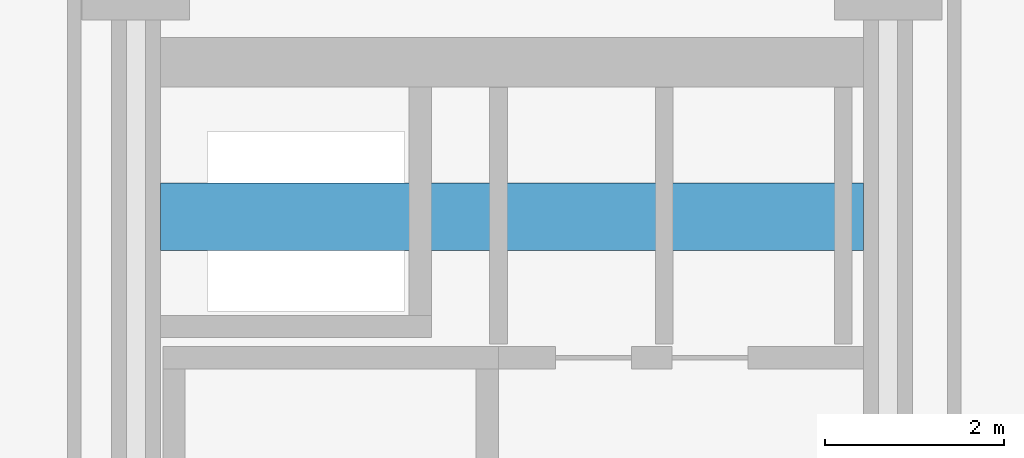
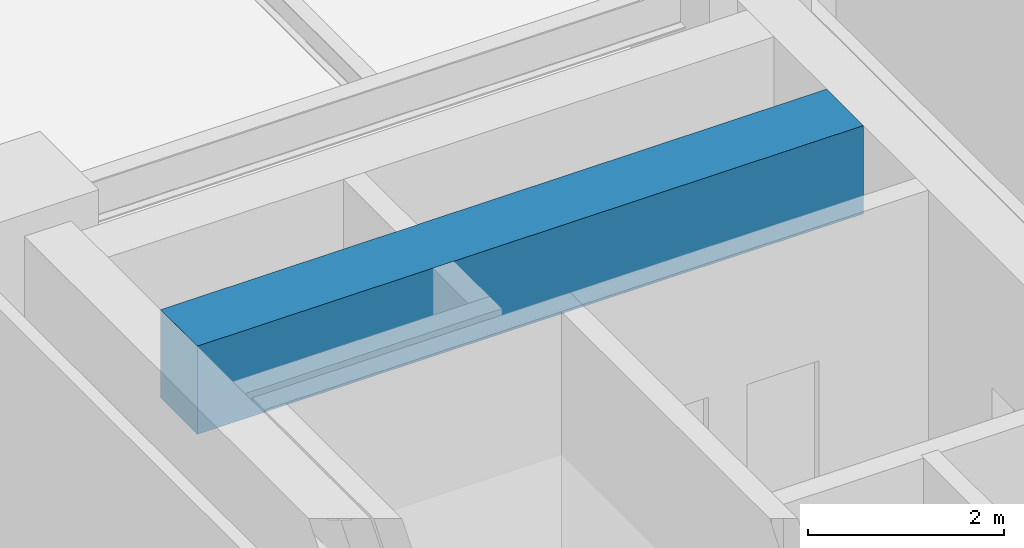
# One storey, part 24 of 39: 1 beam.
"""IFC4 building model written with IfcOpenShell, lengths in metres."""

from ifc_helpers import new_model, si_unit, direction, frame, origin, origin_2d, place, context, subcontext, project, spatial, rectangle, extrude, material, material_profile, profile_set, type_object, element, save


model = new_model("IFC4")

# Units and contexts
model_context = context("Model", 3, precision=1e-05, world=origin(), true_north=direction((0.0, 1.0)))
body_context = subcontext(model_context, "Body", "Model", "MODEL_VIEW")
ifc_project = project(units=[si_unit("LENGTHUNIT", "METRE"), si_unit("AREAUNIT", "SQUARE_METRE"), si_unit("VOLUMEUNIT", "CUBIC_METRE"), si_unit("PLANEANGLEUNIT", "RADIAN"), si_unit("MASSUNIT", "GRAM", prefix="KILO")], contexts=[model_context])

# Site, building, storey
site_placement = place(None, origin())
site = spatial("IfcSite", under=ifc_project, at=site_placement, CompositionType="ELEMENT")
building_placement = place(site_placement, origin())
building = spatial("IfcBuilding", under=site, at=building_placement, Name="Nerrivon Quay Data Exchange", CompositionType="ELEMENT")
storey_placement = place(building_placement, frame((0.0, 0.0, 92.60009765625)))
storey = spatial("IfcBuildingStorey", under=building, at=storey_placement, Name="L21", CompositionType="ELEMENT", Elevation=92.60009765625)

# Beam
ifc_material = material(Name="Concrete S65 (65 MPa)", Category="concrete")
ifc_material_profile = material_profile(ifc_material, rectangle(XDim=0.75, YDim=1.10009765625, at=origin_2d()), Name="RC-CB-750x1100")
ifc_profile_set = profile_set([ifc_material_profile], Name="Concrete S65 (65 MPa)")
beam_type = type_object("IfcBeamType", Name="BM-CB1-750x1100", PredefinedType="LINTEL", material=ifc_profile_set)
beam_placement = place(storey_placement, frame((8.675048828125, 39.199951171875, 3.27490234375), z_axis=(1.0, 0.0, 0.0), x_axis=(0.0, 1.0, 0.0)))
element("IfcBeam", 1, at=beam_placement, inside=storey, type_object=beam_type, Name="L21 West Core Coupling Beam", PredefinedType="LINTEL", context=body_context, shape_type="SweptSolid", body=[
    extrude(rectangle(XDim=0.75, YDim=1.10009765625, at=origin_2d()), origin(), (0.0, 0.0, 1.0), 7.849853515625),
])

save(model, "model.ifc")
